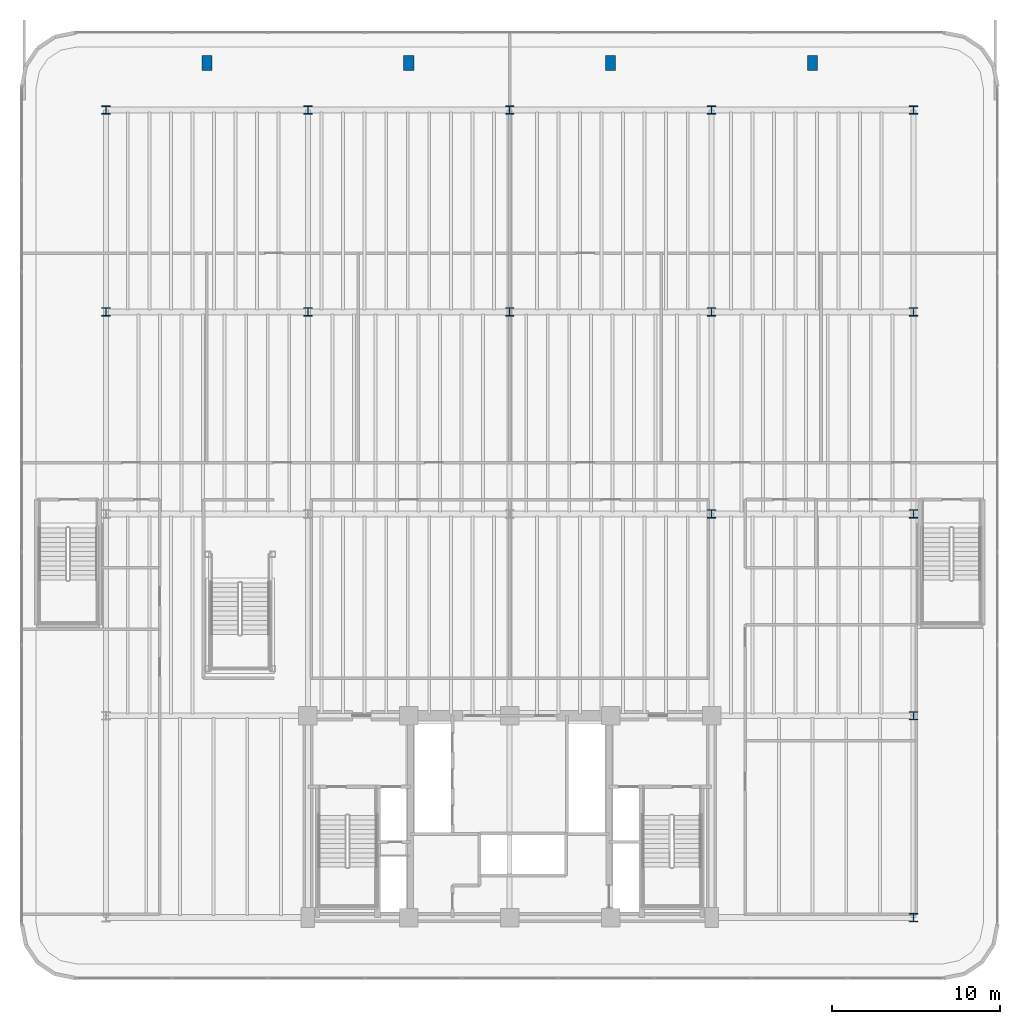
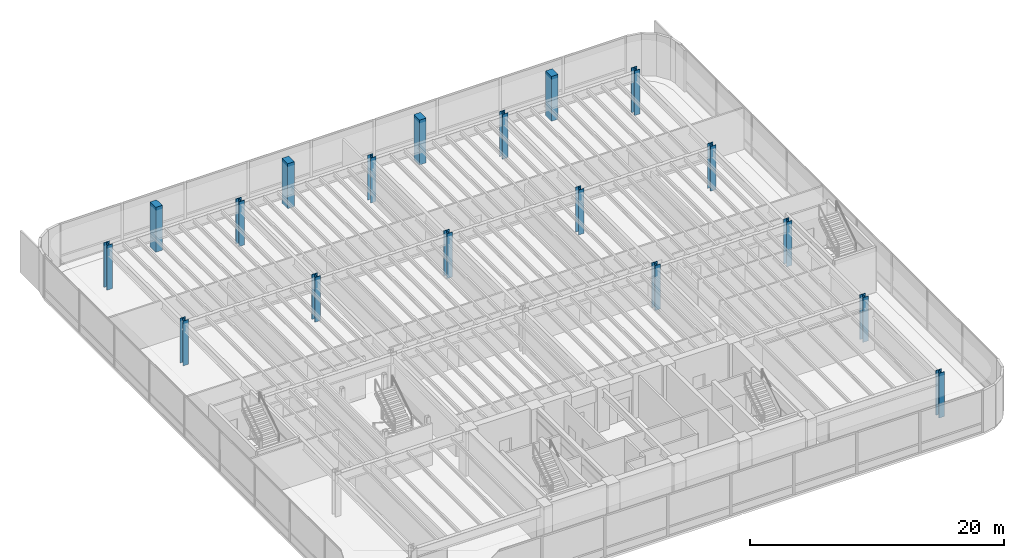
# One storey, part 2 of 18: 18 columns.
"""IFC4 building model written with IfcOpenShell, lengths in metres."""

from ifc_helpers import new_model, si_unit, direction, frame, origin, origin_2d, place, context, subcontext, project, spatial, rectangle, i_section, extrude, source, transform, mapped, material, material_profile, profile_set, type_object, element, save


model = new_model("IFC4")

# Units and contexts
model_context = context("Model", 3, precision=1e-05, world=origin(), true_north=direction((0.0, 1.0)))
body_context = subcontext(model_context, "Body", "Model", "MODEL_VIEW")
ifc_project = project(units=[si_unit("LENGTHUNIT", "METRE"), si_unit("AREAUNIT", "SQUARE_METRE"), si_unit("VOLUMEUNIT", "CUBIC_METRE"), si_unit("PLANEANGLEUNIT", "RADIAN"), si_unit("MASSUNIT", "GRAM", prefix="KILO")], contexts=[model_context])

# Site, building, storey
site_placement = place(None, origin())
site = spatial("IfcSite", under=ifc_project, at=site_placement, CompositionType="ELEMENT")
building_placement = place(site_placement, origin())
building = spatial("IfcBuilding", under=site, at=building_placement, Name="Brelvock Crest Care Tower", CompositionType="ELEMENT")
storey_placement = place(building_placement, frame((0.0, 0.0, 5.39990234375)))
storey = spatial("IfcBuildingStorey", under=building, at=storey_placement, Name="L01", CompositionType="ELEMENT", Elevation=5.39990234375)

# Columns
ifc_material_1 = material(Name="Steel Grade 350", Category="steel")
ifc_material_profile_1 = material_profile(ifc_material_1, i_section(OverallWidth=0.5, OverallDepth=0.5, WebThickness=0.028076171875, FlangeThickness=0.044921875, at=origin_2d()), Name="500WC440")
ifc_profile_set_1 = profile_set([ifc_material_profile_1], Name="Steel Grade 350")
column_type_1 = type_object("IfcColumnType", Name="COL-PC1", PredefinedType="COLUMN", material=ifc_profile_set_1)
shared_shape_1 = source(origin(), body_context, "Body", "SweptSolid", [
    extrude(i_section(OverallWidth=0.5, OverallDepth=0.5, WebThickness=0.028076171875, FlangeThickness=0.044921875, at=origin_2d()), origin(), (0.0, 0.0, 1.0), 4.320068359375),
])
for number, where, z_axis, x_axis, name in (
    (1, (60.0, 6.0, 0.0), (0.0, 0.0, 1.0), (1.0, 0.0, 0.0), "L01 Podium Column PC-02"),
    (2, (60.0, 18.0, 0.0), (0.0, 0.0, 1.0), (1.0, 0.0, 0.0), "L01 Podium Column PC-04"),
    (3, (48.0, 30.0, 0.0), (0.0, 0.0, 1.0), (1.0, 0.0, 0.0), "L01 Podium Column PC-08"),
    (4, (60.0, 30.0, 0.0), (0.0, 0.0, 1.0), (1.0, 0.0, 0.0), "L01 Podium Column PC-09"),
    (5, (12.0, 42.0, 0.0), (0.0, 0.0, 1.0), (1.0, 0.0, 0.0), "L01 Podium Column PC-10"),
    (6, (24.0, 42.0, 0.0), (0.0, 0.0, 1.0), (1.0, 0.0, 0.0), "L01 Podium Column PC-11"),
    (7, (36.0, 42.0, 0.0), (0.0, 0.0, 1.0), (1.0, 0.0, 0.0), "L01 Podium Column PC-12"),
    (8, (48.0, 42.0, 0.0), (0.0, 0.0, 1.0), (1.0, 0.0, 0.0), "L01 Podium Column PC-13"),
    (9, (60.0, 42.0, 0.0), (0.0, 0.0, 1.0), (1.0, 0.0, 0.0), "L01 Podium Column PC-14"),
    (10, (12.0, 54.0, 0.0), (0.0, 0.0, 1.0), (1.0, 0.0, 0.0), "L01 Podium Column PC-15"),
    (11, (24.0, 54.0, 0.0), (0.0, 0.0, 1.0), (1.0, 0.0, 0.0), "L01 Podium Column PC-16"),
    (12, (36.0, 54.0, 0.0), (0.0, 0.0, 1.0), (1.0, 0.0, 0.0), "L01 Podium Column PC-17"),
    (13, (48.0, 54.0, 0.0), (0.0, 0.0, 1.0), (1.0, 0.0, 0.0), "L01 Podium Column PC-18"),
    (14, (60.0, 54.0, 0.0), (0.0, 0.0, 1.0), (1.0, 0.0, 0.0), "L01 Podium Column PC-19"),
):
    element("IfcColumn", number, at=place(storey_placement, frame(where, z_axis=z_axis, x_axis=x_axis)), inside=storey, type_object=column_type_1, Name=name, PredefinedType="COLUMN", context=body_context, shape_type="MappedRepresentation", body=[
        mapped(shared_shape_1, transform((0.0, 0.0, 0.0), x_axis=(1.0, 0.0, 0.0), y_axis=(0.0, 1.0, 0.0), z_axis=(0.0, 0.0, 1.0), scale=1.0)),
    ])
ifc_material_2 = material(Name="Concrete N50 (50 MPa)", Category="concrete")
ifc_material_profile_2 = material_profile(ifc_material_2, rectangle(XDim=0.60009765625, YDim=0.89990234375, at=origin_2d()), Name="RC600x900")
ifc_profile_set_2 = profile_set([ifc_material_profile_2], Name="Concrete N50 (50 MPa)")
column_type_2 = type_object("IfcColumnType", Name="COL-PL1", PredefinedType="PILASTER", material=ifc_profile_set_2)
shared_shape_2 = source(origin(), body_context, "Body", "SweptSolid", [
    extrude(rectangle(XDim=0.60009765625, YDim=0.89990234375, at=origin_2d()), origin(), (0.0, 0.0, 1.0), 4.320068359375),
])
for number, where, z_axis, x_axis, name in (
    (15, (18.0, 56.800048828125, 0.0), (0.0, 0.0, 1.0), (1.0, 0.0, 0.0), "L01 Podium Pilaster PIL-1"),
    (16, (30.0, 56.800048828125, 0.0), (0.0, 0.0, 1.0), (1.0, 0.0, 0.0), "L01 Podium Pilaster PIL-2"),
    (17, (42.0, 56.800048828125, 0.0), (0.0, 0.0, 1.0), (1.0, 0.0, 0.0), "L01 Podium Pilaster PIL-3"),
    (18, (54.0, 56.800048828125, 0.0), (0.0, 0.0, 1.0), (1.0, 0.0, 0.0), "L01 Podium Pilaster PIL-4"),
):
    element("IfcColumn", number, at=place(storey_placement, frame(where, z_axis=z_axis, x_axis=x_axis)), inside=storey, type_object=column_type_2, Name=name, PredefinedType="PILASTER", context=body_context, shape_type="MappedRepresentation", body=[
        mapped(shared_shape_2, transform((0.0, 0.0, 0.0), x_axis=(1.0, 0.0, 0.0), y_axis=(0.0, 1.0, 0.0), z_axis=(0.0, 0.0, 1.0), scale=1.0)),
    ])

save(model, "model.ifc")
